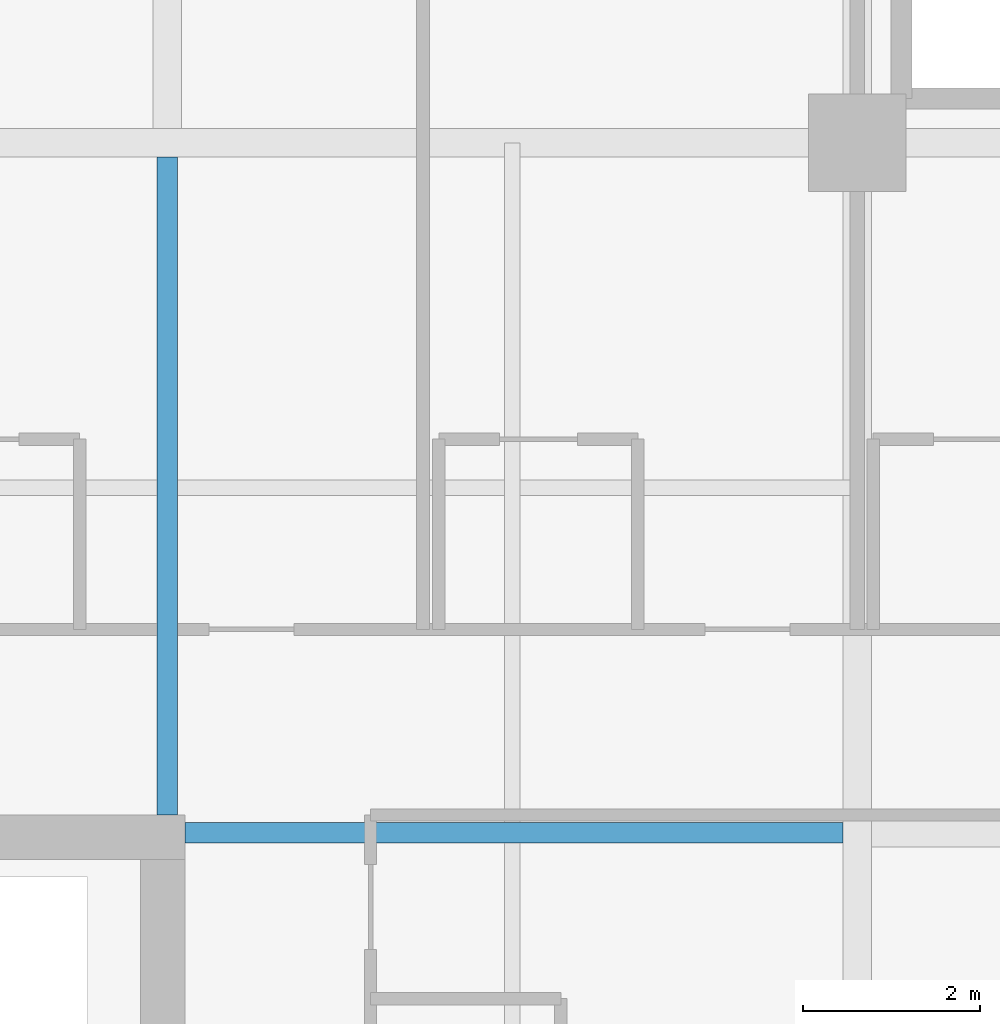
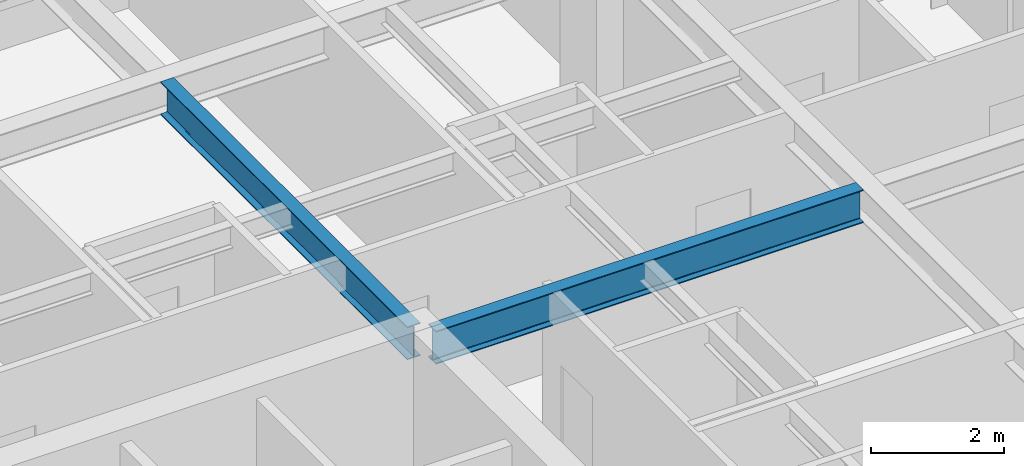
# One storey, part 21 of 32: 2 beams.
"""IFC4 building model written with IfcOpenShell, lengths in metres."""

from ifc_helpers import new_model, si_unit, direction, frame, origin, origin_2d, place, context, subcontext, project, spatial, i_section, extrude, material, material_profile, profile_set, type_object, element, save


model = new_model("IFC4")

# Units and contexts
model_context = context("Model", 3, precision=1e-05, world=origin(), true_north=direction((0.0, 1.0)))
body_context = subcontext(model_context, "Body", "Model", "MODEL_VIEW")
ifc_project = project(units=[si_unit("LENGTHUNIT", "METRE"), si_unit("AREAUNIT", "SQUARE_METRE"), si_unit("VOLUMEUNIT", "CUBIC_METRE"), si_unit("PLANEANGLEUNIT", "RADIAN"), si_unit("MASSUNIT", "GRAM", prefix="KILO")], contexts=[model_context])

# Site, building, storey
site_placement = place(None, origin())
site = spatial("IfcSite", under=ifc_project, at=site_placement, CompositionType="ELEMENT")
building_placement = place(site_placement, origin())
building = spatial("IfcBuilding", under=site, at=building_placement, Name="Drelvath Grand Hotel", CompositionType="ELEMENT")
storey_placement = place(building_placement, frame((0.0, 0.0, 205.10009765625)))
storey = spatial("IfcBuildingStorey", under=building, at=storey_placement, Name="L53", CompositionType="ELEMENT", Elevation=205.10009765625)

# Beams
ifc_material = material(Name="Steel ASTM A992 Gr 50", Category="steel")
ifc_material_profile = material_profile(ifc_material, i_section(OverallWidth=0.228271484375, OverallDepth=0.607666015625, WebThickness=0.01123046875, FlangeThickness=0.017333984375, FilletRadius=0.02001953125, at=origin_2d()), Name="W24X76")
ifc_profile_set = profile_set([ifc_material_profile], Name="Steel ASTM A992 Gr 50")
beam_type = type_object("IfcBeamType", Name="Primary Floor Girder W24X76", PredefinedType="BEAM", material=ifc_profile_set)
for number, where, z_axis, x_axis, name in (
    (1, (8.60009765625, 35.39990234375, 3.0361328125), (1.0, 0.0, 0.0), (0.0, 1.0, 0.0), "L53 East Core Tie F"),
    (2, (8.39990234375, 35.60009765625, 3.0361328125), (0.0, 1.0, 0.0), (-1.0, 0.0, 0.0), "L53 North Core Tie 6"),
):
    element("IfcBeam", number, at=place(storey_placement, frame(where, z_axis=z_axis, x_axis=x_axis)), inside=storey, type_object=beam_type, Name=name, PredefinedType="BEAM", context=body_context, shape_type="SweptSolid", body=[
        extrude(i_section(OverallWidth=0.228271484375, OverallDepth=0.607666015625, WebThickness=0.01123046875, FlangeThickness=0.017333984375, FilletRadius=0.02001953125, at=origin_2d()), origin(), (0.0, 0.0, 1.0), 7.43798828125),
    ])

save(model, "model.ifc")
